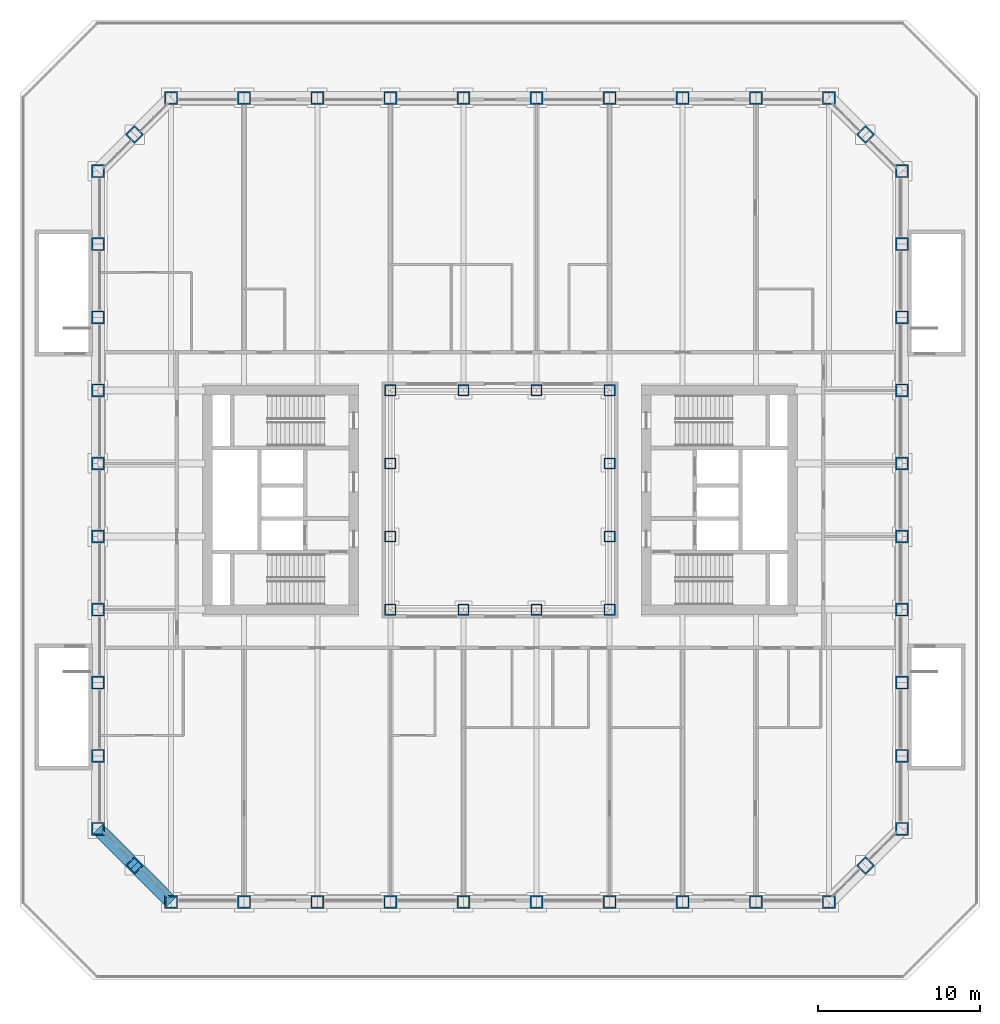
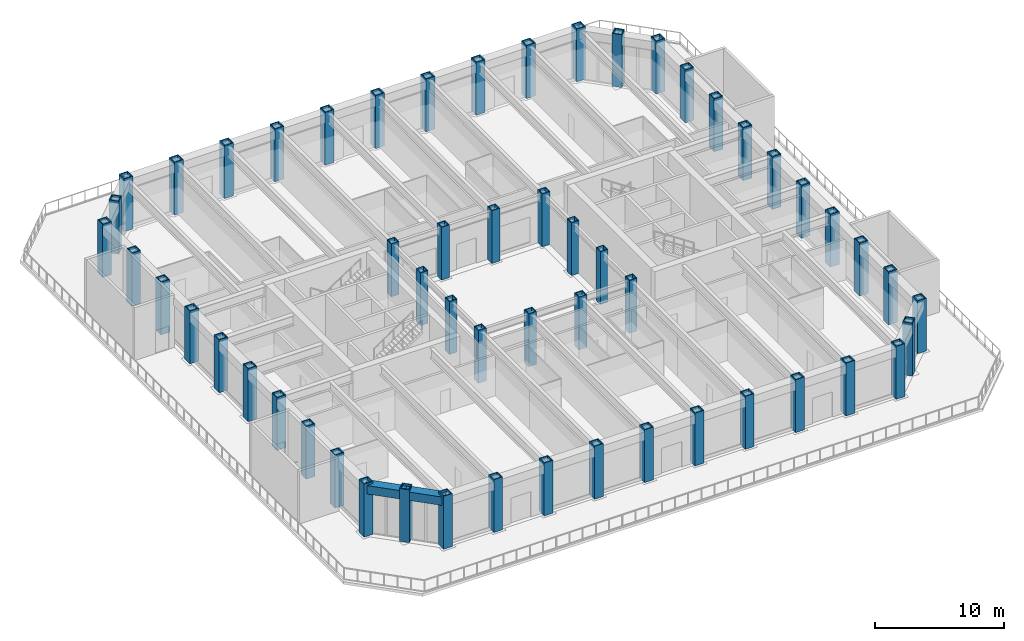
# One storey, part 1 of 18: 56 columns, 2 beams.
"""IFC4 building model written with IfcOpenShell, lengths in metres."""

from ifc_helpers import new_model, si_unit, direction, frame, origin, origin_2d, place, context, subcontext, project, spatial, hollow_rectangle, extrude, material, material_profile, profile_set, type_object, element, save


model = new_model("IFC4")

# Units and contexts
model_context = context("Model", 3, precision=1e-05, world=origin(), true_north=direction((0.0, 1.0)))
body_context = subcontext(model_context, "Body", "Model", "MODEL_VIEW")
ifc_project = project(units=[si_unit("LENGTHUNIT", "METRE"), si_unit("AREAUNIT", "SQUARE_METRE"), si_unit("VOLUMEUNIT", "CUBIC_METRE"), si_unit("PLANEANGLEUNIT", "RADIAN"), si_unit("MASSUNIT", "GRAM", prefix="KILO")], contexts=[model_context])

# Site, building, storey
site_placement = place(None, origin())
site = spatial("IfcSite", under=ifc_project, at=site_placement, CompositionType="ELEMENT")
building_placement = place(site_placement, origin())
building = spatial("IfcBuilding", under=site, at=building_placement, Name="Msasa Ring Tower", CompositionType="ELEMENT")
storey_placement = place(building_placement, frame((0.0, 0.0, 21.5)))
storey = spatial("IfcBuildingStorey", under=building, at=storey_placement, Name="L04", CompositionType="ELEMENT", Elevation=21.5)

# Columns
ifc_material_1 = material(Name="Steel S355", Category="steel")
ifc_material_profile_1 = material_profile(ifc_material_1, hollow_rectangle(XDim=0.699951171875, YDim=0.699951171875, WallThickness=0.070068359375, at=origin_2d()), Name="BOX 700x700x70")
ifc_profile_set_1 = profile_set([ifc_material_profile_1], Name="Steel S355")
column_type_1 = type_object("IfcColumnType", Name="IC1 BOX 700x700x70", PredefinedType="COLUMN", material=ifc_profile_set_1)
for number, where, z_axis, x_axis, name in (
    (1, (-6.75, -6.75, 0.0), (0.0, 0.0, 1.0), (1.0, 0.0, 0.0), "Inner ring column IR-6.75-6.75 L04"),
    (2, (-6.75, -2.25, 0.0), (0.0, 0.0, 1.0), (1.0, 0.0, 0.0), "Inner ring column IR-6.75-2.25 L04"),
    (3, (-6.75, 2.25, 0.0), (0.0, 0.0, 1.0), (1.0, 0.0, 0.0), "Inner ring column IR-6.75+2.25 L04"),
    (4, (-6.75, 6.75, 0.0), (0.0, 0.0, 1.0), (1.0, 0.0, 0.0), "Inner ring column IR-6.75+6.75 L04"),
    (5, (-2.25, -6.75, 0.0), (0.0, 0.0, 1.0), (1.0, 0.0, 0.0), "Inner ring column IR-2.25-6.75 L04"),
    (6, (-2.25, 6.75, 0.0), (0.0, 0.0, 1.0), (1.0, 0.0, 0.0), "Inner ring column IR-2.25+6.75 L04"),
    (7, (2.25, -6.75, 0.0), (0.0, 0.0, 1.0), (1.0, 0.0, 0.0), "Inner ring column IR+2.25-6.75 L04"),
    (8, (2.25, 6.75, 0.0), (0.0, 0.0, 1.0), (1.0, 0.0, 0.0), "Inner ring column IR+2.25+6.75 L04"),
    (9, (6.75, -6.75, 0.0), (0.0, 0.0, 1.0), (1.0, 0.0, 0.0), "Inner ring column IR+6.75-6.75 L04"),
    (10, (6.75, -2.25, 0.0), (0.0, 0.0, 1.0), (1.0, 0.0, 0.0), "Inner ring column IR+6.75-2.25 L04"),
    (11, (6.75, 2.25, 0.0), (0.0, 0.0, 1.0), (1.0, 0.0, 0.0), "Inner ring column IR+6.75+2.25 L04"),
    (12, (6.75, 6.75, 0.0), (0.0, 0.0, 1.0), (1.0, 0.0, 0.0), "Inner ring column IR+6.75+6.75 L04"),
):
    element("IfcColumn", number, at=place(storey_placement, frame(where, z_axis=z_axis, x_axis=x_axis)), inside=storey, type_object=column_type_1, Name=name, PredefinedType="COLUMN", context=body_context, shape_type="SweptSolid", body=[
        extrude(hollow_rectangle(XDim=0.699951171875, YDim=0.699951171875, WallThickness=0.070068359375, at=origin_2d()), origin(), (0.0, 0.0, 1.0), 5.0),
    ])
ifc_material_2 = material(Name="Steel S355", Category="steel")
ifc_material_profile_2 = material_profile(ifc_material_2, hollow_rectangle(XDim=0.800048828125, YDim=0.800048828125, WallThickness=0.080078125, at=origin_2d()), Name="BOX 800x800x80")
ifc_profile_set_2 = profile_set([ifc_material_profile_2], Name="Steel S355")
column_type_2 = type_object("IfcColumnType", Name="TC1 BOX 800x800x80", PredefinedType="COLUMN", material=ifc_profile_set_2)
for number, where, z_axis, x_axis, name in (
    (13, (-20.25, -24.75, 0.0), (0.0, 0.0, 1.0), (0.0, 1.0, 0.0), "Tube column S-20.25 L04"),
    (14, (-20.25, 24.75, 0.0), (0.0, 0.0, 1.0), (0.0, 1.0, 0.0), "Tube column N-20.25 L04"),
    (15, (24.75, -20.25, 0.0), (0.0, 0.0, 1.0), (1.0, 0.0, 0.0), "Tube column E-20.25 L04"),
    (16, (-24.75, -20.25, 0.0), (0.0, 0.0, 1.0), (1.0, 0.0, 0.0), "Tube column W-20.25 L04"),
    (17, (-15.75, -24.75, 0.0), (0.0, 0.0, 1.0), (0.0, 1.0, 0.0), "Tube column S-15.75 L04"),
    (18, (-15.75, 24.75, 0.0), (0.0, 0.0, 1.0), (0.0, 1.0, 0.0), "Tube column N-15.75 L04"),
    (19, (24.75, -15.75, 0.0), (0.0, 0.0, 1.0), (1.0, 0.0, 0.0), "Tube column E-15.75 L04"),
    (20, (-24.75, -15.75, 0.0), (0.0, 0.0, 1.0), (1.0, 0.0, 0.0), "Tube column W-15.75 L04"),
    (21, (-11.25, -24.75, 0.0), (0.0, 0.0, 1.0), (0.0, 1.0, 0.0), "Tube column S-11.25 L04"),
    (22, (-11.25, 24.75, 0.0), (0.0, 0.0, 1.0), (0.0, 1.0, 0.0), "Tube column N-11.25 L04"),
    (23, (24.75, -11.25, 0.0), (0.0, 0.0, 1.0), (1.0, 0.0, 0.0), "Tube column E-11.25 L04"),
    (24, (-24.75, -11.25, 0.0), (0.0, 0.0, 1.0), (1.0, 0.0, 0.0), "Tube column W-11.25 L04"),
    (25, (-6.75, -24.75, 0.0), (0.0, 0.0, 1.0), (0.0, 1.0, 0.0), "Tube column S-6.75 L04"),
    (26, (-6.75, 24.75, 0.0), (0.0, 0.0, 1.0), (0.0, 1.0, 0.0), "Tube column N-6.75 L04"),
    (27, (24.75, -6.75, 0.0), (0.0, 0.0, 1.0), (1.0, 0.0, 0.0), "Tube column E-6.75 L04"),
    (28, (-24.75, -6.75, 0.0), (0.0, 0.0, 1.0), (1.0, 0.0, 0.0), "Tube column W-6.75 L04"),
    (29, (-2.25, -24.75, 0.0), (0.0, 0.0, 1.0), (0.0, 1.0, 0.0), "Tube column S-2.25 L04"),
    (30, (-2.25, 24.75, 0.0), (0.0, 0.0, 1.0), (0.0, 1.0, 0.0), "Tube column N-2.25 L04"),
    (31, (24.75, -2.25, 0.0), (0.0, 0.0, 1.0), (1.0, 0.0, 0.0), "Tube column E-2.25 L04"),
    (32, (-24.75, -2.25, 0.0), (0.0, 0.0, 1.0), (1.0, 0.0, 0.0), "Tube column W-2.25 L04"),
    (33, (2.25, -24.75, 0.0), (0.0, 0.0, 1.0), (0.0, 1.0, 0.0), "Tube column S+2.25 L04"),
    (34, (2.25, 24.75, 0.0), (0.0, 0.0, 1.0), (0.0, 1.0, 0.0), "Tube column N+2.25 L04"),
    (35, (24.75, 2.25, 0.0), (0.0, 0.0, 1.0), (1.0, 0.0, 0.0), "Tube column E+2.25 L04"),
    (36, (-24.75, 2.25, 0.0), (0.0, 0.0, 1.0), (1.0, 0.0, 0.0), "Tube column W+2.25 L04"),
    (37, (6.75, -24.75, 0.0), (0.0, 0.0, 1.0), (0.0, 1.0, 0.0), "Tube column S+6.75 L04"),
    (38, (6.75, 24.75, 0.0), (0.0, 0.0, 1.0), (0.0, 1.0, 0.0), "Tube column N+6.75 L04"),
    (39, (24.75, 6.75, 0.0), (0.0, 0.0, 1.0), (1.0, 0.0, 0.0), "Tube column E+6.75 L04"),
    (40, (-24.75, 6.75, 0.0), (0.0, 0.0, 1.0), (1.0, 0.0, 0.0), "Tube column W+6.75 L04"),
    (41, (11.25, -24.75, 0.0), (0.0, 0.0, 1.0), (0.0, 1.0, 0.0), "Tube column S+11.25 L04"),
    (42, (11.25, 24.75, 0.0), (0.0, 0.0, 1.0), (0.0, 1.0, 0.0), "Tube column N+11.25 L04"),
    (43, (24.75, 11.25, 0.0), (0.0, 0.0, 1.0), (1.0, 0.0, 0.0), "Tube column E+11.25 L04"),
    (44, (-24.75, 11.25, 0.0), (0.0, 0.0, 1.0), (1.0, 0.0, 0.0), "Tube column W+11.25 L04"),
    (45, (15.75, -24.75, 0.0), (0.0, 0.0, 1.0), (0.0, 1.0, 0.0), "Tube column S+15.75 L04"),
    (46, (15.75, 24.75, 0.0), (0.0, 0.0, 1.0), (0.0, 1.0, 0.0), "Tube column N+15.75 L04"),
    (47, (24.75, 15.75, 0.0), (0.0, 0.0, 1.0), (1.0, 0.0, 0.0), "Tube column E+15.75 L04"),
    (48, (-24.75, 15.75, 0.0), (0.0, 0.0, 1.0), (1.0, 0.0, 0.0), "Tube column W+15.75 L04"),
    (49, (20.25, -24.75, 0.0), (0.0, 0.0, 1.0), (0.0, 1.0, 0.0), "Tube column S+20.25 L04"),
    (50, (20.25, 24.75, 0.0), (0.0, 0.0, 1.0), (0.0, 1.0, 0.0), "Tube column N+20.25 L04"),
    (51, (24.75, 20.25, 0.0), (0.0, 0.0, 1.0), (1.0, 0.0, 0.0), "Tube column E+20.25 L04"),
    (52, (-24.75, 20.25, 0.0), (0.0, 0.0, 1.0), (1.0, 0.0, 0.0), "Tube column W+20.25 L04"),
    (53, (22.5, -22.5, 0.0), (0.0, 0.0, 1.0), (0.707106781187, -0.707106781187, 0.0), "Tube column SE L04"),
    (54, (22.5, 22.5, 0.0), (0.0, 0.0, 1.0), (0.707106781187, 0.707106781187, 0.0), "Tube column NE L04"),
    (55, (-22.5, 22.5, 0.0), (0.0, 0.0, 1.0), (0.707106781187, -0.707106781187, 0.0), "Tube column NW L04"),
    (56, (-22.5, -22.5, 0.0), (0.0, 0.0, 1.0), (0.707106781187, 0.707106781187, 0.0), "Tube column SW L04"),
):
    element("IfcColumn", number, at=place(storey_placement, frame(where, z_axis=z_axis, x_axis=x_axis)), inside=storey, type_object=column_type_2, Name=name, PredefinedType="COLUMN", context=body_context, shape_type="SweptSolid", body=[
        extrude(hollow_rectangle(XDim=0.800048828125, YDim=0.800048828125, WallThickness=0.080078125, at=origin_2d()), origin(), (0.0, 0.0, 1.0), 5.0),
    ])

# Beams
ifc_material_3 = material(Name="Steel S355", Category="steel")
ifc_material_profile_3 = material_profile(ifc_material_3, hollow_rectangle(XDim=0.800048828125, YDim=0.800048828125, WallThickness=0.06005859375, at=origin_2d()), Name="BOX 800x800x60")
ifc_profile_set_3 = profile_set([ifc_material_profile_3], Name="Steel S355")
beam_type = type_object("IfcBeamType", Name="SB3 BOX 800x800x60", PredefinedType="SPANDREL", material=ifc_profile_set_3)
for number, where, z_axis, x_axis, name in (
    (57, (-24.75, -20.25, 4.39990234375), (0.707106781187, -0.707106781187, 0.0), (0.707106781187, 0.707106781187, 0.0), "Spandrel W-20.25 to SW under L05"),
    (58, (-22.5, -22.5, 4.39990234375), (0.707106781187, -0.707106781187, 0.0), (0.707106781187, 0.707106781187, 0.0), "Spandrel SW to S-20.25 under L05"),
):
    element("IfcBeam", number, at=place(storey_placement, frame(where, z_axis=z_axis, x_axis=x_axis)), inside=storey, type_object=beam_type, Name=name, PredefinedType="SPANDREL", context=body_context, shape_type="SweptSolid", body=[
        extrude(hollow_rectangle(XDim=0.800048828125, YDim=0.800048828125, WallThickness=0.06005859375, at=origin_2d()), origin(), (0.0, 0.0, 1.0), 3.181884765625),
    ])

save(model, "model.ifc")
